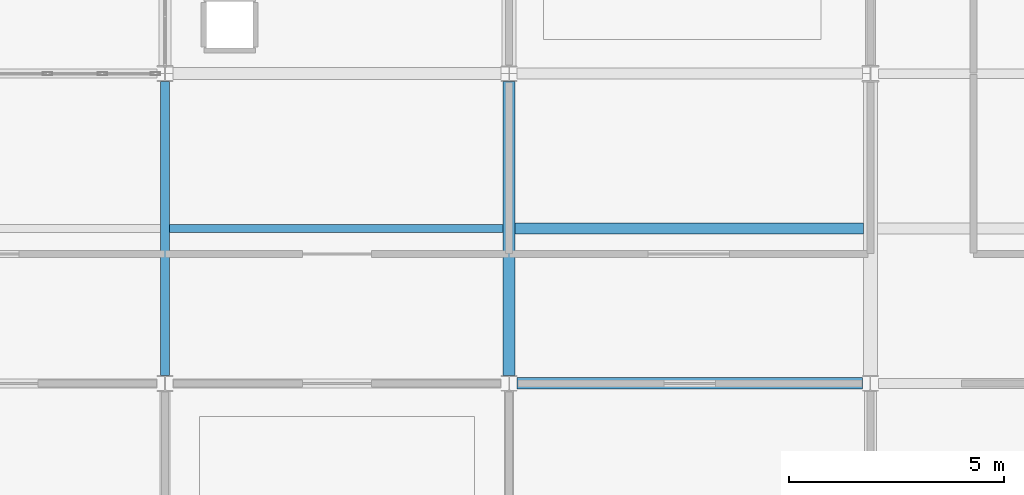
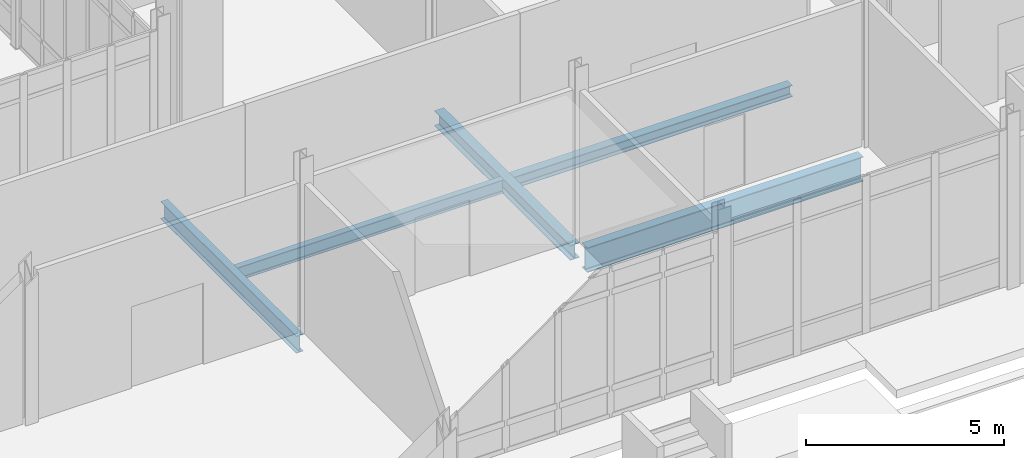
# One storey, part 47 of 229: 5 beams.
"""IFC4 building model written with IfcOpenShell, lengths in metres."""

from ifc_helpers import new_model, si_unit, direction, frame, origin, origin_2d, place, context, subcontext, project, spatial, i_section, extrude, material, material_profile, profile_set, type_object, element, save


model = new_model("IFC4")

# Units and contexts
model_context = context("Model", 3, precision=1e-05, world=origin(), true_north=direction((0.0, 1.0)))
body_context = subcontext(model_context, "Body", "Model", "MODEL_VIEW")
ifc_project = project(units=[si_unit("LENGTHUNIT", "METRE"), si_unit("AREAUNIT", "SQUARE_METRE"), si_unit("VOLUMEUNIT", "CUBIC_METRE"), si_unit("PLANEANGLEUNIT", "RADIAN"), si_unit("MASSUNIT", "GRAM", prefix="KILO")], contexts=[model_context])

# Site, building, storey
site_placement = place(None, origin())
site = spatial("IfcSite", under=ifc_project, at=site_placement, CompositionType="ELEMENT")
building_placement = place(site_placement, origin())
building = spatial("IfcBuilding", under=site, at=building_placement, Name="Calvrana Isthmian Art Gallery", CompositionType="ELEMENT")
storey_placement = place(building_placement, origin())
storey = spatial("IfcBuildingStorey", under=building, at=storey_placement, Name="L00", CompositionType="ELEMENT", Elevation=0.0)

# Beams
ifc_material = material(Name="Steel ASTM A992 Gr 50", Category="steel")
ifc_material_profile_1 = material_profile(ifc_material, i_section(OverallWidth=0.279052734375, OverallDepth=0.4619140625, WebThickness=0.0107421875, FlangeThickness=0.017333984375, FilletRadius=0.02001953125, at=origin_2d()), Name="W18X76")
ifc_profile_set_1 = profile_set([ifc_material_profile_1], Name="Steel ASTM A992 Gr 50")
beam_type_1 = type_object("IfcBeamType", Name="BM-G-W18X76", PredefinedType="BEAM", material=ifc_profile_set_1)
beam_1_placement = place(storey_placement, frame((104.39990234375, 7.3779296875, -0.51611328125), z_axis=(0.0, 1.0, 0.0), x_axis=(-1.0, 0.0, 0.0)))
element("IfcBeam", 1, at=beam_1_placement, inside=storey, type_object=beam_type_1, Name="Girder Y L00 14/B-C", PredefinedType="BEAM", context=body_context, shape_type="SweptSolid", body=[
    extrude(i_section(OverallWidth=0.279052734375, OverallDepth=0.4619140625, WebThickness=0.0107421875, FlangeThickness=0.017333984375, FilletRadius=0.02001953125, at=origin_2d()), origin(), (0.0, 0.0, 1.0), 6.840576171875),
])
ifc_material_profile_2 = material_profile(ifc_material, i_section(OverallWidth=0.208984375, OverallDepth=0.532958984375, WebThickness=0.01025390625, FlangeThickness=0.015625, FilletRadius=0.02099609375, at=origin_2d()), Name="W21X62")
ifc_profile_set_2 = profile_set([ifc_material_profile_2], Name="Steel ASTM A992 Gr 50")
beam_type_2 = type_object("IfcBeamType", Name="BM-G-W21X62", PredefinedType="BEAM", material=ifc_profile_set_2)
beam_2_placement = place(storey_placement, frame((96.39990234375, 7.381591796875, -0.551513671875), z_axis=(0.0, 1.0, 0.0), x_axis=(-1.0, 0.0, 0.0)))
element("IfcBeam", 2, at=beam_2_placement, inside=storey, type_object=beam_type_2, Name="Girder Y L00 13/B-C", PredefinedType="BEAM", context=body_context, shape_type="SweptSolid", body=[
    extrude(i_section(OverallWidth=0.208984375, OverallDepth=0.532958984375, WebThickness=0.01025390625, FlangeThickness=0.015625, FilletRadius=0.02099609375, at=origin_2d()), origin(), (0.0, 0.0, 1.0), 6.83447265625),
])
ifc_material_profile_3 = material_profile(ifc_material, i_section(OverallWidth=0.26708984375, OverallDepth=0.761962890625, WebThickness=0.014404296875, FlangeThickness=0.021484375, FilletRadius=0.02490234375, at=origin_2d()), Name="W30X116")
ifc_profile_set_3 = profile_set([ifc_material_profile_3], Name="Steel ASTM A992 Gr 50")
beam_type_3 = type_object("IfcBeamType", Name="BM-G-W30X116", PredefinedType="BEAM", material=ifc_profile_set_3)
beam_3_placement = place(storey_placement, frame((104.583984375, 7.199951171875, -0.666015625), z_axis=(1.0, 0.0, 0.0), x_axis=(0.0, 1.0, 0.0)))
element("IfcBeam", 3, at=beam_3_placement, inside=storey, type_object=beam_type_3, Name="Girder X L00 14-15/B", PredefinedType="BEAM", context=body_context, shape_type="SweptSolid", body=[
    extrude(i_section(OverallWidth=0.26708984375, OverallDepth=0.761962890625, WebThickness=0.014404296875, FlangeThickness=0.021484375, FilletRadius=0.02490234375, at=origin_2d()), origin(), (0.0, 0.0, 1.0), 8.029541015625),
])
ifc_material_profile_4 = material_profile(ifc_material, i_section(OverallWidth=0.25390625, OverallDepth=0.35302734375, WebThickness=0.009521484375, FlangeThickness=0.016357421875, FilletRadius=0.01806640625, at=origin_2d()), Name="W14X61")
ifc_profile_set_4 = profile_set([ifc_material_profile_4], Name="Steel ASTM A992 Gr 50")
beam_type_4 = type_object("IfcBeamType", Name="BM-J-W14X61", PredefinedType="JOIST", material=ifc_profile_set_4)
beam_4_placement = place(storey_placement, frame((104.53955078125, 10.800048828125, -0.46142578125), z_axis=(1.0, 0.0, 0.0), x_axis=(0.0, 1.0, 0.0)))
element("IfcBeam", 4, at=beam_4_placement, inside=storey, type_object=beam_type_4, Name="Composite joist L00 bay 13-01", PredefinedType="JOIST", context=body_context, shape_type="SweptSolid", body=[
    extrude(i_section(OverallWidth=0.25390625, OverallDepth=0.35302734375, WebThickness=0.009521484375, FlangeThickness=0.016357421875, FilletRadius=0.01806640625, at=origin_2d()), origin(), (0.0, 0.0, 1.0), 8.097900390625),
])
ifc_material_profile_5 = material_profile(ifc_material, i_section(OverallWidth=0.177978515625, OverallDepth=0.404052734375, WebThickness=0.007568359375, FlangeThickness=0.010986328125, FilletRadius=0.01806640625, at=origin_2d()), Name="W16X36")
ifc_profile_set_5 = profile_set([ifc_material_profile_5], Name="Steel ASTM A992 Gr 50")
beam_type_5 = type_object("IfcBeamType", Name="BM-J-W16X36", PredefinedType="JOIST", material=ifc_profile_set_5)
beam_5_placement = place(storey_placement, frame((96.50439453125, 10.800048828125, -0.487060546875), z_axis=(1.0, 0.0, 0.0), x_axis=(0.0, 1.0, 0.0)))
element("IfcBeam", 5, at=beam_5_placement, inside=storey, type_object=beam_type_5, Name="Composite joist L00 bay 12-01", PredefinedType="JOIST", context=body_context, shape_type="SweptSolid", body=[
    extrude(i_section(OverallWidth=0.177978515625, OverallDepth=0.404052734375, WebThickness=0.007568359375, FlangeThickness=0.010986328125, FilletRadius=0.01806640625, at=origin_2d()), origin(), (0.0, 0.0, 1.0), 7.756103515625),
])

save(model, "model.ifc")
